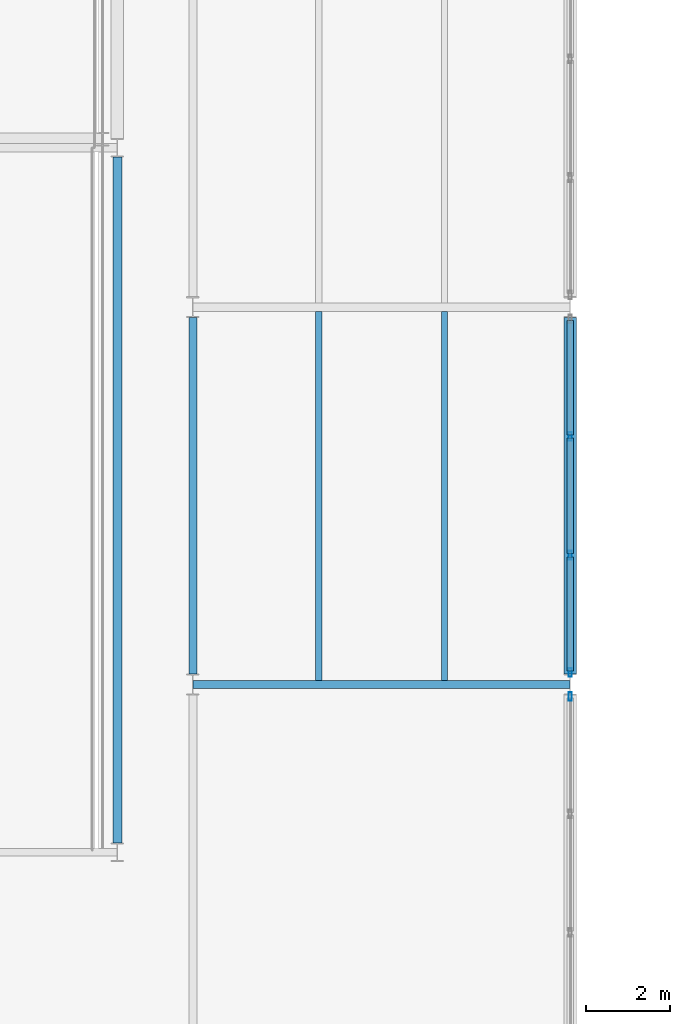
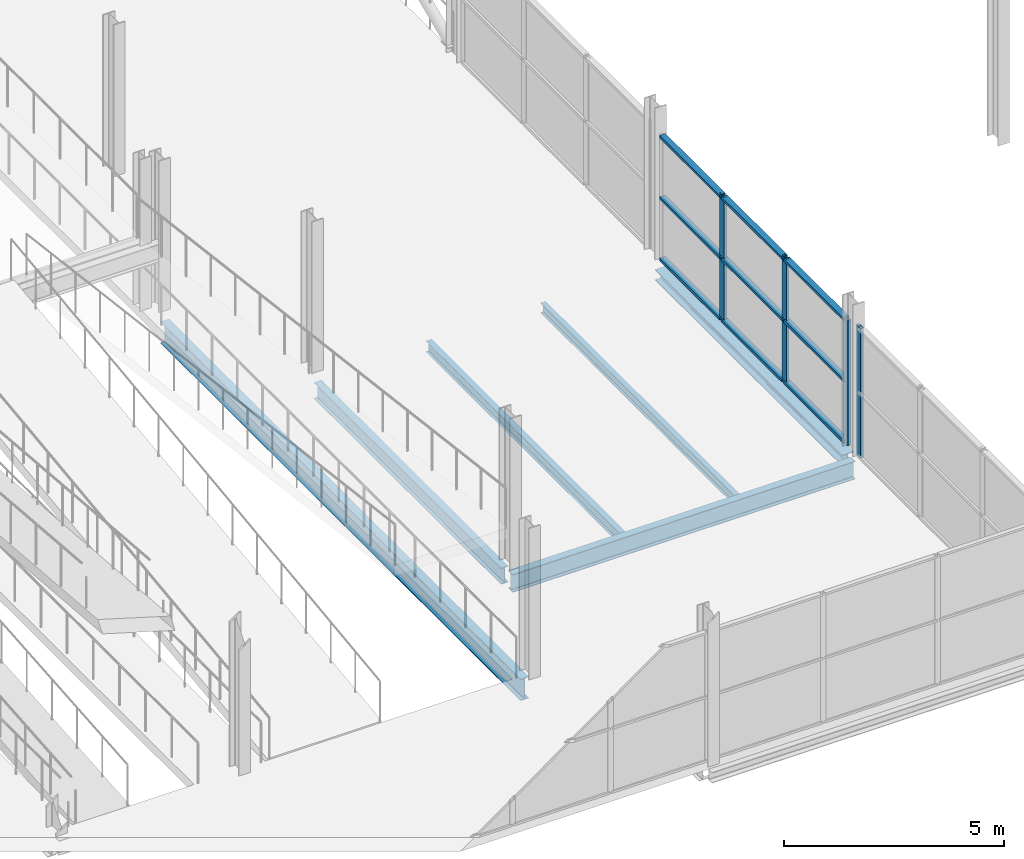
# One storey, part 65 of 140: 13 members, 6 beams, 2 elements without a shape of their own.
"""IFC4 building model written with IfcOpenShell, lengths in metres."""

from ifc_helpers import new_model, si_unit, direction, frame, origin, origin_2d, place, context, subcontext, project, spatial, hollow_rectangle, i_section, extrude, material, layer, layer_set, material_profile, profile_set, type_object, element, aggregate, save


model = new_model("IFC4")

# Units and contexts
model_context = context("Model", 3, precision=1e-05, world=origin(), true_north=direction((0.0, 1.0)))
body_context = subcontext(model_context, "Body", "Model", "MODEL_VIEW")
ifc_project = project(units=[si_unit("LENGTHUNIT", "METRE"), si_unit("AREAUNIT", "SQUARE_METRE"), si_unit("VOLUMEUNIT", "CUBIC_METRE"), si_unit("PLANEANGLEUNIT", "RADIAN"), si_unit("MASSUNIT", "GRAM", prefix="KILO")], contexts=[model_context])

# Site, building, storey
site_placement = place(None, origin())
site = spatial("IfcSite", under=ifc_project, at=site_placement, CompositionType="ELEMENT")
building_placement = place(site_placement, origin())
building = spatial("IfcBuilding", under=site, at=building_placement, Name="Deido Ridge Mobility Hub", CompositionType="ELEMENT")
storey_placement = place(building_placement, origin())
storey = spatial("IfcBuildingStorey", under=building, at=storey_placement, Name="L00", CompositionType="ELEMENT", Elevation=0.0)

# Beams
ifc_material_1 = material(Name="Steel S355J2 EN 10025-2", Category="steel")
ifc_material_profile_1 = material_profile(ifc_material_1, i_section(OverallWidth=0.18994140625, OverallDepth=0.449951171875, WebThickness=0.009521484375, FlangeThickness=0.0146484375, FilletRadius=0.02099609375, at=origin_2d()), Name="IPE 450")
ifc_profile_set_1 = profile_set([ifc_material_profile_1], Name="Steel S355J2 EN 10025-2")
beam_type_1 = type_object("IfcBeamType", Name="BM-IPE450", PredefinedType="BEAM", material=ifc_profile_set_1)
beam_1_placement = place(storey_placement, frame((99.0, 54.25, -0.485107421875), z_axis=(0.0, 1.0, 0.0), x_axis=(-1.0, 0.0, 0.0)))
element("IfcBeam", 1, at=beam_1_placement, inside=storey, type_object=beam_type_1, Name="Floor beam B4", PredefinedType="BEAM", context=body_context, shape_type="SweptSolid", body=[
    extrude(i_section(OverallWidth=0.18994140625, OverallDepth=0.449951171875, WebThickness=0.009521484375, FlangeThickness=0.0146484375, FilletRadius=0.02099609375, at=origin_2d()), origin(), (0.0, 0.0, 1.0), 8.5),
])
ifc_material_profile_2 = material_profile(ifc_material_1, i_section(OverallWidth=0.199951171875, OverallDepth=0.5, WebThickness=0.01025390625, FlangeThickness=0.01611328125, FilletRadius=0.02099609375, at=origin_2d()), Name="IPE 500")
ifc_profile_set_2 = profile_set([ifc_material_profile_2], Name="Steel S355J2 EN 10025-2")
beam_type_2 = type_object("IfcBeamType", Name="BM-IPE500", PredefinedType="BEAM", material=ifc_profile_set_2)
beam_2_placement = place(storey_placement, frame((99.007080078125, 54.0, -0.510009765625), z_axis=(1.0, 0.0, 0.0), x_axis=(0.0, 1.0, 0.0)))
element("IfcBeam", 2, at=beam_2_placement, inside=storey, type_object=beam_type_2, Name="Floor beam B3", PredefinedType="BEAM", context=body_context, shape_type="SweptSolid", body=[
    extrude(i_section(OverallWidth=0.199951171875, OverallDepth=0.5, WebThickness=0.01025390625, FlangeThickness=0.01611328125, FilletRadius=0.02099609375, at=origin_2d()), origin(), (0.0, 0.0, 1.0), 8.98583984375),
])
ifc_material_profile_3 = material_profile(ifc_material_1, i_section(OverallWidth=0.219970703125, OverallDepth=0.60009765625, WebThickness=0.011962890625, FlangeThickness=0.01904296875, FilletRadius=0.02392578125, at=origin_2d()), Name="IPE 600")
ifc_profile_set_3 = profile_set([ifc_material_profile_3], Name="Steel S355J2 EN 10025-2")
beam_type_3 = type_object("IfcBeamType", Name="BM-IPE600", PredefinedType="BEAM", material=ifc_profile_set_3)
beam_3_placement = place(storey_placement, frame((97.199951171875, 50.22509765625, -0.56005859375), z_axis=(0.0, 1.0, 0.0), x_axis=(-1.0, 0.0, 0.0)))
element("IfcBeam", 3, at=beam_3_placement, inside=storey, type_object=beam_type_3, Name="Floor beam B1", PredefinedType="BEAM", context=body_context, shape_type="SweptSolid", body=[
    extrude(i_section(OverallWidth=0.219970703125, OverallDepth=0.60009765625, WebThickness=0.011962890625, FlangeThickness=0.01904296875, FilletRadius=0.02392578125, at=origin_2d()), origin(), (0.0, 0.0, 1.0), 16.349853515625),
])
ifc_material_profile_4 = material_profile(ifc_material_1, i_section(OverallWidth=0.135009765625, OverallDepth=0.27001953125, WebThickness=0.006591796875, FlangeThickness=0.01025390625, FilletRadius=0.014892578125, at=origin_2d()), Name="IPE 270")
ifc_profile_set_4 = profile_set([ifc_material_profile_4], Name="Steel S355J2 EN 10025-2")
beam_type_4 = type_object("IfcBeamType", Name="JST-IPE270", PredefinedType="JOIST", material=ifc_profile_set_4)
beam_4_placement = place(storey_placement, frame((105.0, 54.10009765625, -0.39501953125), z_axis=(0.0, 1.0, 0.0), x_axis=(-1.0, 0.0, 0.0)))
element("IfcBeam", 4, at=beam_4_placement, inside=storey, type_object=beam_type_4, Name="Composite joist J4", PredefinedType="JOIST", context=body_context, shape_type="SweptSolid", body=[
    extrude(i_section(OverallWidth=0.135009765625, OverallDepth=0.27001953125, WebThickness=0.006591796875, FlangeThickness=0.01025390625, FilletRadius=0.014892578125, at=origin_2d()), origin(), (0.0, 0.0, 1.0), 8.7998046875),
])
ifc_material_profile_5 = material_profile(ifc_material_1, i_section(OverallWidth=0.14990234375, OverallDepth=0.300048828125, WebThickness=0.007080078125, FlangeThickness=0.0107421875, FilletRadius=0.014892578125, at=origin_2d()), Name="IPE 300")
ifc_profile_set_5 = profile_set([ifc_material_profile_5], Name="Steel S355J2 EN 10025-2")
beam_type_5 = type_object("IfcBeamType", Name="JST-IPE300", PredefinedType="JOIST", material=ifc_profile_set_5)
beam_5_placement = place(storey_placement, frame((102.0, 54.10009765625, -0.409912109375), z_axis=(0.0, 1.0, 0.0), x_axis=(-1.0, 0.0, 0.0)))
element("IfcBeam", 5, at=beam_5_placement, inside=storey, type_object=beam_type_5, Name="Composite joist J3", PredefinedType="JOIST", context=body_context, shape_type="SweptSolid", body=[
    extrude(i_section(OverallWidth=0.14990234375, OverallDepth=0.300048828125, WebThickness=0.007080078125, FlangeThickness=0.0107421875, FilletRadius=0.014892578125, at=origin_2d()), origin(), (0.0, 0.0, 1.0), 8.7998046875),
])

# Curtain wall, member
ifc_material_2 = material(Name="Anodised aluminium EN AW-6063 T6", Category="aluminium")
ifc_layer = layer(ifc_material_2, 0.2099609375, Name="Anodised aluminium EN AW-6063 T6")
ifc_layer_set = layer_set([ifc_layer], Name="Anodised aluminium EN AW-6063 T6")
curtain_wall_type = type_object("IfcCurtainWallType", Name="CW-UF-4", PredefinedType="USERDEFINED", material=ifc_layer_set)
curtain_wall_1_placement = place(storey_placement, origin())
curtain_wall_1 = element("IfcCurtainWall", 6, at=curtain_wall_1_placement, inside=storey, type_object=curtain_wall_type, Name="Unitised curtain wall CW4", ObjectType="UNITISED FACADE", PredefinedType="USERDEFINED")
ifc_material_profile_6 = material_profile(ifc_material_2, hollow_rectangle(XDim=0.074951171875, YDim=0.205078125, WallThickness=0.00390625, at=origin_2d()), Name="RHS 75x205x4")
ifc_profile_set_6 = profile_set([ifc_material_profile_6], Name="Anodised aluminium EN AW-6063 T6")
member_type_1 = type_object("IfcMemberType", Name="MEM-MUL-75X205", PredefinedType="MULLION", material=ifc_profile_set_6)
member_1_placement = place(storey_placement, frame((108.0, 53.71240234375, 0.0), z_axis=(0.0, 0.0, 1.0), x_axis=(-1.0, 0.0, 0.0)))
member_1 = element("IfcMember", 7, at=member_1_placement, type_object=member_type_1, Name="CW4 mullion 4", PredefinedType="MULLION", context=body_context, shape_type="SweptSolid", body=[
    extrude(hollow_rectangle(XDim=0.074951171875, YDim=0.205078125, WallThickness=0.00390625, at=origin_2d()), origin(), (0.0, 0.0, 1.0), 3.60009765625),
])
aggregate(curtain_wall_1, [member_1])

# Curtain wall, members
curtain_wall_2_placement = place(storey_placement, origin())
curtain_wall_2 = element("IfcCurtainWall", 8, at=curtain_wall_2_placement, inside=storey, type_object=curtain_wall_type, Name="Unitised curtain wall CW4", ObjectType="UNITISED FACADE", PredefinedType="USERDEFINED")
member_2_placement = place(storey_placement, frame((108.0, 54.28759765625, 0.0), z_axis=(0.0, 0.0, 1.0), x_axis=(-1.0, 0.0, 0.0)))
member_2 = element("IfcMember", 9, at=member_2_placement, type_object=member_type_1, Name="CW4 mullion 1", PredefinedType="MULLION", context=body_context, shape_type="SweptSolid", body=[
    extrude(hollow_rectangle(XDim=0.074951171875, YDim=0.205078125, WallThickness=0.00390625, at=origin_2d()), origin(), (0.0, 0.0, 1.0), 3.47509765625),
])
member_3_placement = place(storey_placement, frame((108.0, 57.083251953125, 0.0), z_axis=(0.0, 0.0, 1.0), x_axis=(-1.0, 0.0, 0.0)))
member_3 = element("IfcMember", 10, at=member_3_placement, type_object=member_type_1, Name="CW4 mullion 2", PredefinedType="MULLION", context=body_context, shape_type="SweptSolid", body=[
    extrude(hollow_rectangle(XDim=0.074951171875, YDim=0.205078125, WallThickness=0.00390625, at=origin_2d()), origin(), (0.0, 0.0, 1.0), 3.47509765625),
])
member_4_placement = place(storey_placement, frame((108.0, 59.916748046875, 0.0), z_axis=(0.0, 0.0, 1.0), x_axis=(-1.0, 0.0, 0.0)))
member_4 = element("IfcMember", 11, at=member_4_placement, type_object=member_type_1, Name="CW4 mullion 3", PredefinedType="MULLION", context=body_context, shape_type="SweptSolid", body=[
    extrude(hollow_rectangle(XDim=0.074951171875, YDim=0.205078125, WallThickness=0.00390625, at=origin_2d()), origin(), (0.0, 0.0, 1.0), 3.47509765625),
])
ifc_material_profile_7 = material_profile(ifc_material_2, hollow_rectangle(XDim=0.155029296875, YDim=0.074951171875, WallThickness=0.00390625, at=origin_2d()), Name="RHS 155x75x4")
ifc_profile_set_7 = profile_set([ifc_material_profile_7], Name="Anodised aluminium EN AW-6063 T6")
member_type_2 = type_object("IfcMemberType", Name="MEM-TRN-155X75", PredefinedType="USERDEFINED", material=ifc_profile_set_7)
member_5_placement = place(storey_placement, frame((108.0, 54.324951171875, 0.03759765625), z_axis=(0.0, 1.0, 0.0), x_axis=(-1.0, 0.0, 0.0)))
member_5 = element("IfcMember", 12, at=member_5_placement, type_object=member_type_2, Name="CW4 transom 1.1", ObjectType="TRANSOM", PredefinedType="USERDEFINED", context=body_context, shape_type="SweptSolid", body=[
    extrude(hollow_rectangle(XDim=0.155029296875, YDim=0.074951171875, WallThickness=0.00390625, at=origin_2d()), origin(), (0.0, 0.0, 1.0), 2.720947265625),
])
member_6_placement = place(storey_placement, frame((108.0, 54.324951171875, 1.737548828125), z_axis=(0.0, 1.0, 0.0), x_axis=(-1.0, 0.0, 0.0)))
member_6 = element("IfcMember", 13, at=member_6_placement, type_object=member_type_2, Name="CW4 transom 1.2", ObjectType="TRANSOM", PredefinedType="USERDEFINED", context=body_context, shape_type="SweptSolid", body=[
    extrude(hollow_rectangle(XDim=0.155029296875, YDim=0.074951171875, WallThickness=0.00390625, at=origin_2d()), origin(), (0.0, 0.0, 1.0), 2.720947265625),
])
member_7_placement = place(storey_placement, frame((108.0, 54.324951171875, 3.4375), z_axis=(0.0, 1.0, 0.0), x_axis=(-1.0, 0.0, 0.0)))
member_7 = element("IfcMember", 14, at=member_7_placement, type_object=member_type_2, Name="CW4 transom 1.3", ObjectType="TRANSOM", PredefinedType="USERDEFINED", context=body_context, shape_type="SweptSolid", body=[
    extrude(hollow_rectangle(XDim=0.155029296875, YDim=0.074951171875, WallThickness=0.00390625, at=origin_2d()), origin(), (0.0, 0.0, 1.0), 2.720947265625),
])
member_8_placement = place(storey_placement, frame((108.0, 57.120849609375, 0.03759765625), z_axis=(0.0, 1.0, 0.0), x_axis=(-1.0, 0.0, 0.0)))
member_8 = element("IfcMember", 15, at=member_8_placement, type_object=member_type_2, Name="CW4 transom 2.1", ObjectType="TRANSOM", PredefinedType="USERDEFINED", context=body_context, shape_type="SweptSolid", body=[
    extrude(hollow_rectangle(XDim=0.155029296875, YDim=0.074951171875, WallThickness=0.00390625, at=origin_2d()), origin(), (0.0, 0.0, 1.0), 2.75830078125),
])
member_9_placement = place(storey_placement, frame((108.0, 57.120849609375, 1.737548828125), z_axis=(0.0, 1.0, 0.0), x_axis=(-1.0, 0.0, 0.0)))
member_9 = element("IfcMember", 16, at=member_9_placement, type_object=member_type_2, Name="CW4 transom 2.2", ObjectType="TRANSOM", PredefinedType="USERDEFINED", context=body_context, shape_type="SweptSolid", body=[
    extrude(hollow_rectangle(XDim=0.155029296875, YDim=0.074951171875, WallThickness=0.00390625, at=origin_2d()), origin(), (0.0, 0.0, 1.0), 2.75830078125),
])
member_10_placement = place(storey_placement, frame((108.0, 57.120849609375, 3.4375), z_axis=(0.0, 1.0, 0.0), x_axis=(-1.0, 0.0, 0.0)))
member_10 = element("IfcMember", 17, at=member_10_placement, type_object=member_type_2, Name="CW4 transom 2.3", ObjectType="TRANSOM", PredefinedType="USERDEFINED", context=body_context, shape_type="SweptSolid", body=[
    extrude(hollow_rectangle(XDim=0.155029296875, YDim=0.074951171875, WallThickness=0.00390625, at=origin_2d()), origin(), (0.0, 0.0, 1.0), 2.75830078125),
])
member_11_placement = place(storey_placement, frame((108.0, 59.9541015625, 0.03759765625), z_axis=(0.0, 1.0, 0.0), x_axis=(-1.0, 0.0, 0.0)))
member_11 = element("IfcMember", 18, at=member_11_placement, type_object=member_type_2, Name="CW4 transom 3.1", ObjectType="TRANSOM", PredefinedType="USERDEFINED", context=body_context, shape_type="SweptSolid", body=[
    extrude(hollow_rectangle(XDim=0.155029296875, YDim=0.074951171875, WallThickness=0.00390625, at=origin_2d()), origin(), (0.0, 0.0, 1.0), 2.720947265625),
])
member_12_placement = place(storey_placement, frame((108.0, 59.9541015625, 1.737548828125), z_axis=(0.0, 1.0, 0.0), x_axis=(-1.0, 0.0, 0.0)))
member_12 = element("IfcMember", 19, at=member_12_placement, type_object=member_type_2, Name="CW4 transom 3.2", ObjectType="TRANSOM", PredefinedType="USERDEFINED", context=body_context, shape_type="SweptSolid", body=[
    extrude(hollow_rectangle(XDim=0.155029296875, YDim=0.074951171875, WallThickness=0.00390625, at=origin_2d()), origin(), (0.0, 0.0, 1.0), 2.720947265625),
])
member_13_placement = place(storey_placement, frame((108.0, 59.9541015625, 3.4375), z_axis=(0.0, 1.0, 0.0), x_axis=(-1.0, 0.0, 0.0)))
member_13 = element("IfcMember", 20, at=member_13_placement, type_object=member_type_2, Name="CW4 transom 3.3", ObjectType="TRANSOM", PredefinedType="USERDEFINED", context=body_context, shape_type="SweptSolid", body=[
    extrude(hollow_rectangle(XDim=0.155029296875, YDim=0.074951171875, WallThickness=0.00390625, at=origin_2d()), origin(), (0.0, 0.0, 1.0), 2.720947265625),
])
aggregate(curtain_wall_2, [member_2, member_3, member_4, member_5, member_6, member_7, member_8, member_9, member_10, member_11, member_12, member_13])

# Beam
ifc_material_profile_8 = material_profile(ifc_material_1, i_section(OverallWidth=0.300048828125, OverallDepth=0.300048828125, WebThickness=0.010986328125, FlangeThickness=0.01904296875, FilletRadius=0.027099609375, at=origin_2d()), Name="HEB 300")
ifc_profile_set_8 = profile_set([ifc_material_profile_8], Name="Steel S355J2 EN 10025-2")
beam_type_6 = type_object("IfcBeamType", Name="SPD-HEB300", PredefinedType="SPANDREL", material=ifc_profile_set_8)
beam_6_placement = place(storey_placement, frame((108.0, 54.25, -0.409912109375), z_axis=(0.0, 1.0, 0.0), x_axis=(-1.0, 0.0, 0.0)))
element("IfcBeam", 21, at=beam_6_placement, inside=storey, type_object=beam_type_6, Name="Floor beam SP1", PredefinedType="SPANDREL", context=body_context, shape_type="SweptSolid", body=[
    extrude(i_section(OverallWidth=0.300048828125, OverallDepth=0.300048828125, WebThickness=0.010986328125, FlangeThickness=0.01904296875, FilletRadius=0.027099609375, at=origin_2d()), origin(), (0.0, 0.0, 1.0), 8.5),
])

save(model, "model.ifc")
